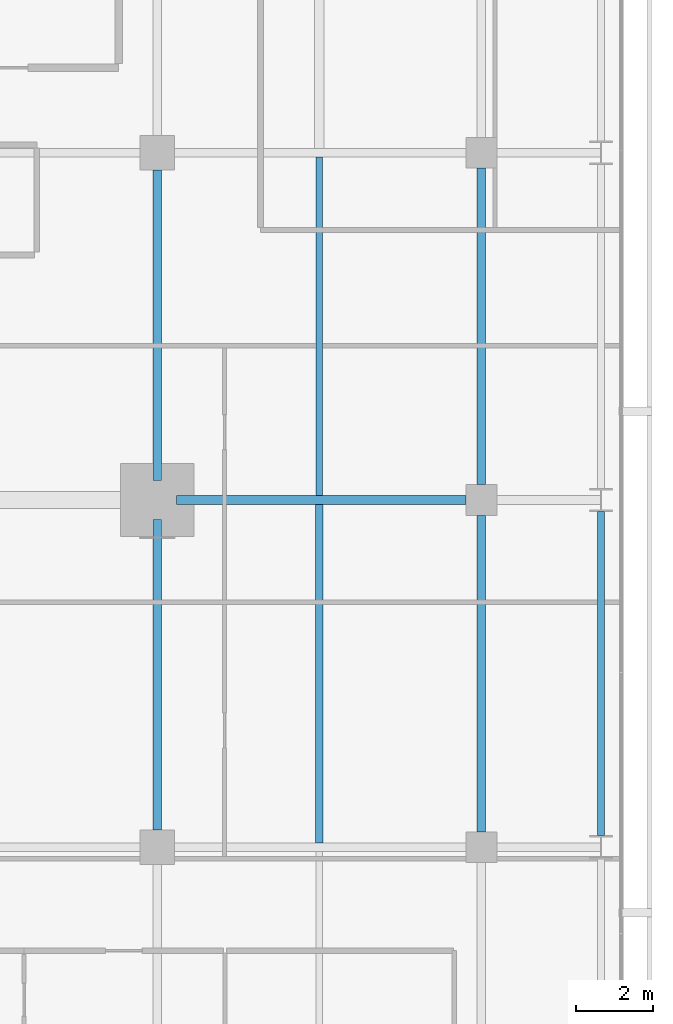
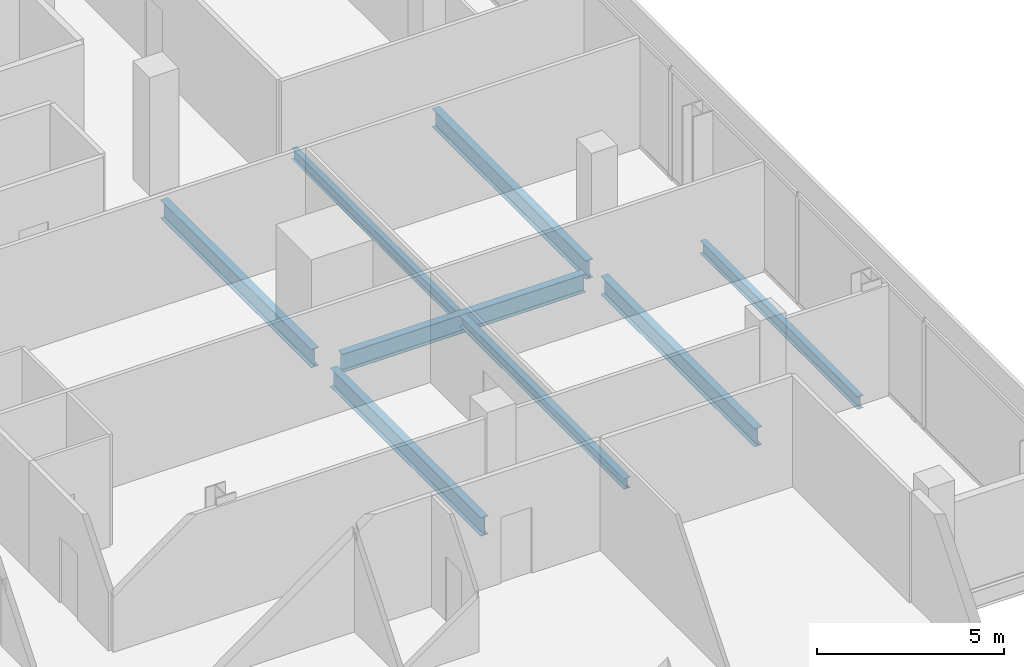
# One storey, part 16 of 32: 8 beams.
"""IFC4 building model written with IfcOpenShell, lengths in metres."""

from ifc_helpers import new_model, si_unit, direction, frame, origin, origin_2d, place, context, subcontext, project, spatial, i_section, extrude, material, material_profile, profile_set, type_object, element, save


model = new_model("IFC4")

# Units and contexts
model_context = context("Model", 3, precision=1e-05, world=origin(), true_north=direction((0.0, 1.0)))
body_context = subcontext(model_context, "Body", "Model", "MODEL_VIEW")
ifc_project = project(units=[si_unit("LENGTHUNIT", "METRE"), si_unit("AREAUNIT", "SQUARE_METRE"), si_unit("VOLUMEUNIT", "CUBIC_METRE"), si_unit("PLANEANGLEUNIT", "RADIAN"), si_unit("MASSUNIT", "GRAM", prefix="KILO")], contexts=[model_context])

# Site, building, storey
site_placement = place(None, origin())
site = spatial("IfcSite", under=ifc_project, at=site_placement, CompositionType="ELEMENT")
building_placement = place(site_placement, origin())
building = spatial("IfcBuilding", under=site, at=building_placement, Name="Maruvema Waterfront Hotel and Observation Tower", CompositionType="ELEMENT")
storey_placement = place(building_placement, frame((0.0, 0.0, 162.050048828125)))
storey = spatial("IfcBuildingStorey", under=building, at=storey_placement, Name="L39", CompositionType="ELEMENT", Elevation=162.050048828125)

# Beams
ifc_material_1 = material(Name="Steel ASTM A572 Grade 50", Category="steel")
ifc_material_profile_1 = material_profile(ifc_material_1, i_section(OverallWidth=0.180908203125, OverallDepth=0.4169921875, WebThickness=0.010986328125, FlangeThickness=0.018310546875, FilletRadius=0.014892578125, at=origin_2d()), Name="W410x85.0")
ifc_profile_set_1 = profile_set([ifc_material_profile_1], Name="Steel ASTM A572 Grade 50")
beam_type_1 = type_object("IfcBeamType", Name="Perimeter Spandrel Beam W410x85.0", PredefinedType="SPANDREL", material=ifc_profile_set_1)
beam_1_placement = place(storey_placement, frame((61.89990234375, 18.300048828125, -0.448486328125), z_axis=(0.0, 1.0, 0.0), x_axis=(-1.0, 0.0, 0.0)))
element("IfcBeam", 1, at=beam_1_placement, inside=storey, type_object=beam_type_1, Name="L39 Floor Girder NS-30", PredefinedType="SPANDREL", context=body_context, shape_type="SweptSolid", body=[
    extrude(i_section(OverallWidth=0.180908203125, OverallDepth=0.4169921875, WebThickness=0.010986328125, FlangeThickness=0.018310546875, FilletRadius=0.014892578125, at=origin_2d()), origin(), (0.0, 0.0, 1.0), 8.39990234375),
])
ifc_material_2 = material(Name="Steel ASTM A572 Grade 50", Category="steel")
ifc_material_profile_2 = material_profile(ifc_material_2, i_section(OverallWidth=0.22802734375, OverallDepth=0.60302734375, WebThickness=0.010498046875, FlangeThickness=0.014892578125, FilletRadius=0.01806640625, at=origin_2d()), Name="W610x101.0")
ifc_profile_set_2 = profile_set([ifc_material_profile_2], Name="Steel ASTM A572 Grade 50")
beam_type_2 = type_object("IfcBeamType", Name="Primary Floor Girder W610x101.0", PredefinedType="BEAM", material=ifc_profile_set_2)
beam_2_placement = place(storey_placement, frame((50.89990234375, 27.0, -0.54150390625), z_axis=(1.0, 0.0, 0.0), x_axis=(0.0, 1.0, 0.0)))
element("IfcBeam", 2, at=beam_2_placement, inside=storey, type_object=beam_type_2, Name="L39 Floor Girder EW-21", PredefinedType="BEAM", context=body_context, shape_type="SweptSolid", body=[
    extrude(i_section(OverallWidth=0.22802734375, OverallDepth=0.60302734375, WebThickness=0.010498046875, FlangeThickness=0.014892578125, FilletRadius=0.01806640625, at=origin_2d()), origin(), (0.0, 0.0, 1.0), 7.5),
])
for number, where, z_axis, x_axis, name in (
    (3, (50.39990234375, 18.449951171875, -0.54150390625), (0.0, 1.0, 0.0), (-1.0, 0.0, 0.0), "L39 Floor Girder NS-22"),
    (4, (50.39990234375, 27.5, -0.54150390625), (0.0, 1.0, 0.0), (-1.0, 0.0, 0.0), "L39 Floor Girder NS-23"),
):
    element("IfcBeam", number, at=place(storey_placement, frame(where, z_axis=z_axis, x_axis=x_axis)), inside=storey, type_object=beam_type_2, Name=name, PredefinedType="BEAM", context=body_context, shape_type="SweptSolid", body=[
        extrude(i_section(OverallWidth=0.22802734375, OverallDepth=0.60302734375, WebThickness=0.010498046875, FlangeThickness=0.014892578125, FilletRadius=0.01806640625, at=origin_2d()), origin(), (0.0, 0.0, 1.0), 8.050048828125),
    ])
for number, where, z_axis, x_axis, name in (
    (5, (58.800048828125, 18.39990234375, -0.54150390625), (0.0, 1.0, 0.0), (-1.0, 0.0, 0.0), "L39 Floor Girder NS-26"),
    (6, (58.800048828125, 27.39990234375, -0.54150390625), (0.0, 1.0, 0.0), (-1.0, 0.0, 0.0), "L39 Floor Girder NS-27"),
):
    element("IfcBeam", number, at=place(storey_placement, frame(where, z_axis=z_axis, x_axis=x_axis)), inside=storey, type_object=beam_type_2, Name=name, PredefinedType="BEAM", context=body_context, shape_type="SweptSolid", body=[
        extrude(i_section(OverallWidth=0.22802734375, OverallDepth=0.60302734375, WebThickness=0.010498046875, FlangeThickness=0.014892578125, FilletRadius=0.01806640625, at=origin_2d()), origin(), (0.0, 0.0, 1.0), 8.2001953125),
    ])
ifc_material_3 = material(Name="Steel ASTM A572 Grade 50", Category="steel")
ifc_material_profile_3 = material_profile(ifc_material_3, i_section(OverallWidth=0.1708984375, OverallDepth=0.35498046875, WebThickness=0.007080078125, FlangeThickness=0.01171875, FilletRadius=0.014892578125, at=origin_2d()), Name="W360x51.0")
ifc_profile_set_3 = profile_set([ifc_material_profile_3], Name="Steel ASTM A572 Grade 50")
beam_type_3 = type_object("IfcBeamType", Name="Secondary Floor Joist W360x51.0", PredefinedType="JOIST", material=ifc_profile_set_3)
beam_3_placement = place(storey_placement, frame((54.60009765625, 27.114013671875, -0.41748046875), z_axis=(0.0, 1.0, 0.0), x_axis=(-1.0, 0.0, 0.0)))
element("IfcBeam", 7, at=beam_3_placement, inside=storey, type_object=beam_type_3, Name="L39 Secondary Floor Joist JS-13", PredefinedType="JOIST", context=body_context, shape_type="SweptSolid", body=[
    extrude(i_section(OverallWidth=0.1708984375, OverallDepth=0.35498046875, WebThickness=0.007080078125, FlangeThickness=0.01171875, FilletRadius=0.014892578125, at=origin_2d()), origin(), (0.0, 0.0, 1.0), 8.77197265625),
])
ifc_material_4 = material(Name="Steel ASTM A572 Grade 50", Category="steel")
ifc_material_profile_4 = material_profile(ifc_material_4, i_section(OverallWidth=0.202880859375, OverallDepth=0.346923828125, WebThickness=0.0078125, FlangeThickness=0.013427734375, FilletRadius=0.014892578125, at=origin_2d()), Name="W360x64.0")
ifc_profile_set_4 = profile_set([ifc_material_profile_4], Name="Steel ASTM A572 Grade 50")
beam_type_4 = type_object("IfcBeamType", Name="Secondary Floor Joist W360x64.0", PredefinedType="JOIST", material=ifc_profile_set_4)
beam_4_placement = place(storey_placement, frame((54.60009765625, 18.114013671875, -0.41357421875), z_axis=(0.0, 1.0, 0.0), x_axis=(-1.0, 0.0, 0.0)))
element("IfcBeam", 8, at=beam_4_placement, inside=storey, type_object=beam_type_4, Name="L39 Secondary Floor Joist JS-12", PredefinedType="JOIST", context=body_context, shape_type="SweptSolid", body=[
    extrude(i_section(OverallWidth=0.202880859375, OverallDepth=0.346923828125, WebThickness=0.0078125, FlangeThickness=0.013427734375, FilletRadius=0.014892578125, at=origin_2d()), origin(), (0.0, 0.0, 1.0), 8.77197265625),
])

save(model, "model.ifc")
